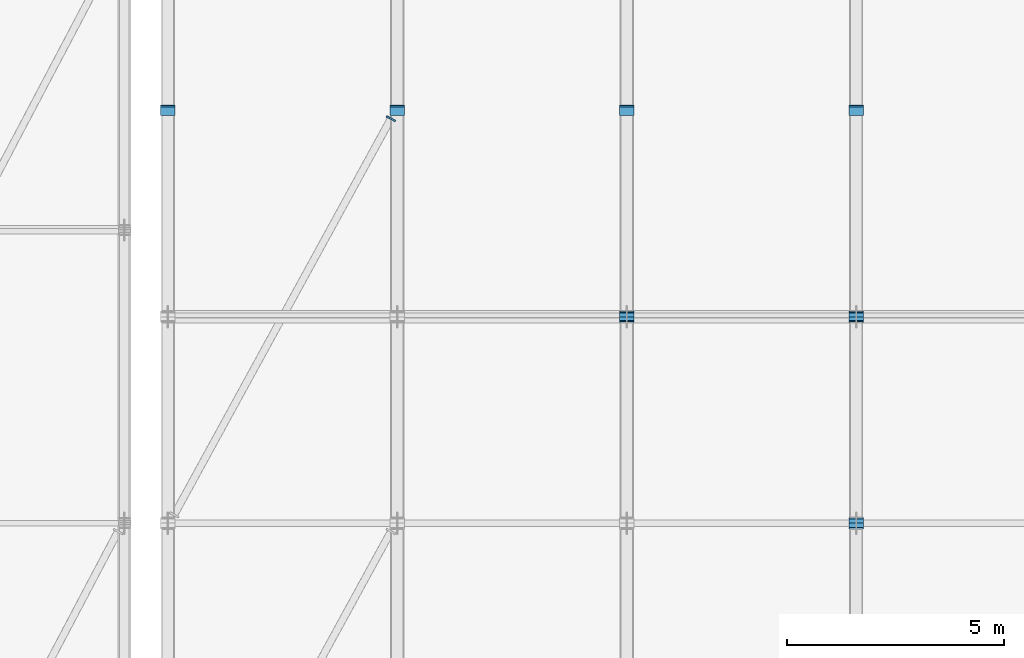
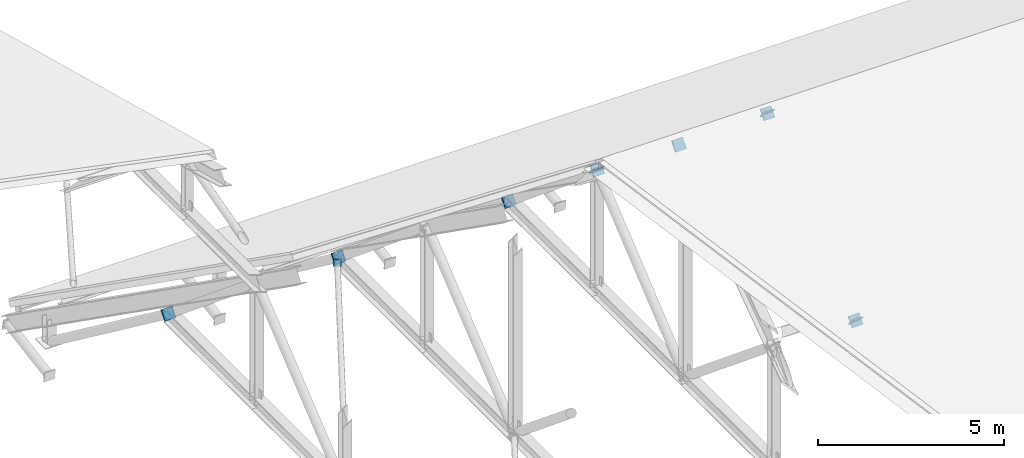
# One storey, part 48 of 57: 15 discrete accessories.
"""IFC4 building model written with IfcOpenShell, lengths in metres."""

from ifc_helpers import new_model, si_unit, direction, frame, origin, origin_2d, place, context, subcontext, project, spatial, rectangle, extrude, material, material_profile, profile_set, type_object, element, save


model = new_model("IFC4")

# Units and contexts
model_context = context("Model", 3, precision=1e-05, world=origin(), true_north=direction((0.0, 1.0)))
body_context = subcontext(model_context, "Body", "Model", "MODEL_VIEW")
ifc_project = project(units=[si_unit("LENGTHUNIT", "METRE"), si_unit("AREAUNIT", "SQUARE_METRE"), si_unit("VOLUMEUNIT", "CUBIC_METRE"), si_unit("PLANEANGLEUNIT", "RADIAN"), si_unit("MASSUNIT", "GRAM", prefix="KILO")], contexts=[model_context])

# Site, building, storey
site_placement = place(None, origin())
site = spatial("IfcSite", under=ifc_project, at=site_placement, CompositionType="ELEMENT")
building_placement = place(site_placement, origin())
building = spatial("IfcBuilding", under=site, at=building_placement, Name="Kelarvand Opera House", CompositionType="ELEMENT")
storey_placement = place(building_placement, frame((0.0, 0.0, 33.60009765625)))
storey = spatial("IfcBuildingStorey", under=building, at=storey_placement, Name="Roof", CompositionType="ELEMENT", Elevation=33.60009765625)

# Discrete accessories
ifc_material = material(Name="Steel S355", Category="steel")
ifc_material_profile_1 = material_profile(ifc_material, rectangle(XDim=0.22802734375, YDim=0.22802734375, at=origin_2d()), Name="Welded Steel Hollow End-Cap Plate 228x228x24", Category="steel")
ifc_profile_set_1 = profile_set([ifc_material_profile_1], Name="Steel S355")
discrete_accessory_type_1 = type_object("IfcDiscreteAccessoryType", Name="Welded Steel Hollow End-Cap Plate 228x228x24", PredefinedType="SHOE", material=ifc_profile_set_1)
discrete_accessory_1_placement = place(storey_placement, frame((94.126220703125, 71.79296875, -4.800048828125), z_axis=(0.474099823035, 0.880471099922, 0.0), x_axis=(-0.880471099922, 0.474099823035, 0.0)))
element("IfcDiscreteAccessory", 1, at=discrete_accessory_1_placement, inside=storey, type_object=discrete_accessory_type_1, Name="Hollow Section Welded End Cap 396", PredefinedType="SHOE", context=body_context, shape_type="SweptSolid", body=[
    extrude(rectangle(XDim=0.22802734375, YDim=0.22802734375, at=origin_2d()), origin(), (0.0, 0.0, 1.0), 0.0361328125),
])
ifc_material_profile_2 = material_profile(ifc_material, rectangle(XDim=0.3330078125, YDim=0.3330078125, at=origin_2d()), Name="Welded Steel Hollow End-Cap Plate 333x333x24", Category="steel")
ifc_profile_set_2 = profile_set([ifc_material_profile_2], Name="Steel S355")
discrete_accessory_type_2 = type_object("IfcDiscreteAccessoryType", Name="Welded Steel Hollow End-Cap Plate 333x333x24", PredefinedType="SHOE", material=ifc_profile_set_2)
discrete_accessory_2_placement = place(storey_placement, frame((89.0, 72.00634765625, -4.804931640625), z_axis=(0.0, -0.798373260242, 0.602162882725), x_axis=(1.0, 0.0, 0.0)))
element("IfcDiscreteAccessory", 2, at=discrete_accessory_2_placement, inside=storey, type_object=discrete_accessory_type_2, Name="Hollow Section Welded End Cap 220", PredefinedType="SHOE", context=body_context, shape_type="SweptSolid", body=[
    extrude(rectangle(XDim=0.3330078125, YDim=0.3330078125, at=origin_2d()), origin(), (0.0, 0.0, 1.0), 0.0361328125),
])
discrete_accessory_3_placement = place(storey_placement, frame((89.0, 71.993896484375, -4.794921875), z_axis=(0.0, 0.768778639846, -0.639514974739), x_axis=(-1.0, 0.0, 0.0)))
element("IfcDiscreteAccessory", 3, at=discrete_accessory_3_placement, inside=storey, type_object=discrete_accessory_type_2, Name="Hollow Section Welded End Cap 228", PredefinedType="SHOE", context=body_context, shape_type="SweptSolid", body=[
    extrude(rectangle(XDim=0.3330078125, YDim=0.3330078125, at=origin_2d()), origin(), (0.0, 0.0, 1.0), 0.035888671875),
])
discrete_accessory_4_placement = place(storey_placement, frame((94.280029296875, 72.00634765625, -4.804931640625), z_axis=(0.0, -0.798373260242, 0.602162882725), x_axis=(1.0, 0.0, 0.0)))
element("IfcDiscreteAccessory", 4, at=discrete_accessory_4_placement, inside=storey, type_object=discrete_accessory_type_2, Name="Hollow Section Welded End Cap 236", PredefinedType="SHOE", context=body_context, shape_type="SweptSolid", body=[
    extrude(rectangle(XDim=0.3330078125, YDim=0.3330078125, at=origin_2d()), origin(), (0.0, 0.0, 1.0), 0.0361328125),
])
discrete_accessory_5_placement = place(storey_placement, frame((94.280029296875, 71.993896484375, -4.794921875), z_axis=(0.0, 0.768778639846, -0.639514974739), x_axis=(-1.0, 0.0, 0.0)))
element("IfcDiscreteAccessory", 5, at=discrete_accessory_5_placement, inside=storey, type_object=discrete_accessory_type_2, Name="Hollow Section Welded End Cap 244", PredefinedType="SHOE", context=body_context, shape_type="SweptSolid", body=[
    extrude(rectangle(XDim=0.3330078125, YDim=0.3330078125, at=origin_2d()), origin(), (0.0, 0.0, 1.0), 0.035888671875),
])
discrete_accessory_6_placement = place(storey_placement, frame((99.56005859375, 72.00634765625, -4.804931640625), z_axis=(0.0, -0.798373260242, 0.602162882725), x_axis=(1.0, 0.0, 0.0)))
element("IfcDiscreteAccessory", 6, at=discrete_accessory_6_placement, inside=storey, type_object=discrete_accessory_type_2, Name="Hollow Section Welded End Cap 252", PredefinedType="SHOE", context=body_context, shape_type="SweptSolid", body=[
    extrude(rectangle(XDim=0.3330078125, YDim=0.3330078125, at=origin_2d()), origin(), (0.0, 0.0, 1.0), 0.0361328125),
])
for number, where, z_axis, x_axis, name in (
    (7, (99.56005859375, 67.243896484375, -0.896484375), (0.0, 0.768778639846, 0.639514974739), (-1.0, 0.0, 0.0), "Hollow Section Welded End Cap 258"),
    (8, (99.56005859375, 67.256103515625, -0.896484375), (0.0, -0.768778639846, 0.639514974739), (1.0, 0.0, 0.0), "Hollow Section Welded End Cap 259"),
    (9, (99.56005859375, 71.993896484375, -4.794921875), (0.0, 0.768778639846, -0.639514974739), (-1.0, 0.0, 0.0), "Hollow Section Welded End Cap 260"),
):
    element("IfcDiscreteAccessory", number, at=place(storey_placement, frame(where, z_axis=z_axis, x_axis=x_axis)), inside=storey, type_object=discrete_accessory_type_2, Name=name, PredefinedType="SHOE", context=body_context, shape_type="SweptSolid", body=[
        extrude(rectangle(XDim=0.3330078125, YDim=0.3330078125, at=origin_2d()), origin(), (0.0, 0.0, 1.0), 0.035888671875),
    ])
discrete_accessory_7_placement = place(storey_placement, frame((104.840087890625, 72.00634765625, -4.804931640625), z_axis=(0.0, -0.798373260242, 0.602162882725), x_axis=(1.0, 0.0, 0.0)))
element("IfcDiscreteAccessory", 10, at=discrete_accessory_7_placement, inside=storey, type_object=discrete_accessory_type_2, Name="Hollow Section Welded End Cap 268", PredefinedType="SHOE", context=body_context, shape_type="SweptSolid", body=[
    extrude(rectangle(XDim=0.3330078125, YDim=0.3330078125, at=origin_2d()), origin(), (0.0, 0.0, 1.0), 0.0361328125),
])
for number, where, z_axis, x_axis, name in (
    (11, (104.840087890625, 62.493896484375, -4.794921875), (0.0, 0.768778639846, -0.639514974739), (-1.0, 0.0, 0.0), "Hollow Section Welded End Cap 272"),
    (12, (104.840087890625, 62.506103515625, -4.794921875), (0.0, -0.768778639846, -0.639514974739), (1.0, 0.0, 0.0), "Hollow Section Welded End Cap 273"),
    (13, (104.840087890625, 67.243896484375, -0.896484375), (0.0, 0.768778639846, 0.639514974739), (-1.0, 0.0, 0.0), "Hollow Section Welded End Cap 274"),
    (14, (104.840087890625, 67.256103515625, -0.896484375), (0.0, -0.768778639846, 0.639514974739), (1.0, 0.0, 0.0), "Hollow Section Welded End Cap 275"),
    (15, (104.840087890625, 71.993896484375, -4.794921875), (0.0, 0.768778639846, -0.639514974739), (-1.0, 0.0, 0.0), "Hollow Section Welded End Cap 276"),
):
    element("IfcDiscreteAccessory", number, at=place(storey_placement, frame(where, z_axis=z_axis, x_axis=x_axis)), inside=storey, type_object=discrete_accessory_type_2, Name=name, PredefinedType="SHOE", context=body_context, shape_type="SweptSolid", body=[
        extrude(rectangle(XDim=0.3330078125, YDim=0.3330078125, at=origin_2d()), origin(), (0.0, 0.0, 1.0), 0.035888671875),
    ])

save(model, "model.ifc")
